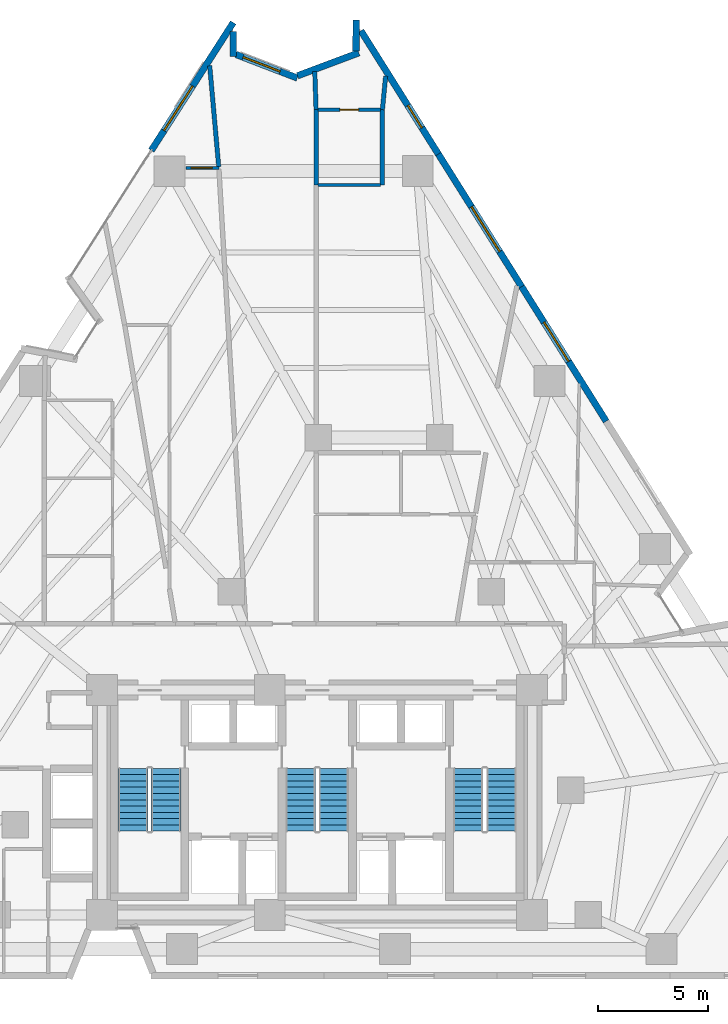
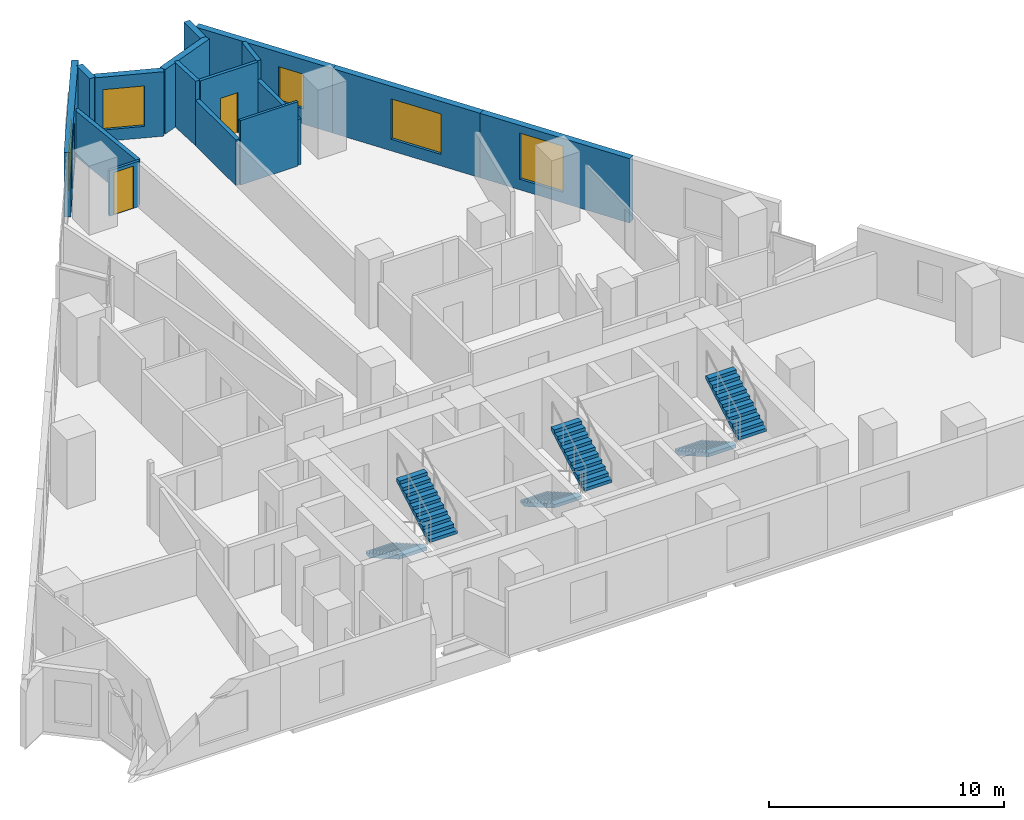
# One storey, part 10 of 12: 16 walls, 6 stair flights, 5 windows, 2 doors, 7 openings, 3 elements without a shape of their own.
"""IFC4 building model written with IfcOpenShell, lengths in metres."""

from ifc_helpers import new_model, si_unit, direction, frame, frame_2d, origin, place, context, subcontext, project, spatial, polyline, rectangle, outline, extrude, material, layer, layer_set, type_object, element, fill, aggregate, save


model = new_model("IFC4")

# Units and contexts
model_context = context("Model", 3, precision=1e-05, world=origin(), true_north=direction((0.0, 1.0)))
body_context = subcontext(model_context, "Body", "Model", "MODEL_VIEW")
ifc_project = project(units=[si_unit("LENGTHUNIT", "METRE"), si_unit("AREAUNIT", "SQUARE_METRE"), si_unit("VOLUMEUNIT", "CUBIC_METRE"), si_unit("PLANEANGLEUNIT", "RADIAN"), si_unit("MASSUNIT", "GRAM", prefix="KILO")], contexts=[model_context])

# Site, building, storey
site_placement = place(None, origin())
site = spatial("IfcSite", under=ifc_project, at=site_placement, CompositionType="ELEMENT")
building_placement = place(site_placement, origin())
building = spatial("IfcBuilding", under=site, at=building_placement, Name="Almagre Mirador Tower", CompositionType="ELEMENT")
storey_placement = place(building_placement, frame((0.0, 0.0, 64.199951171875)))
storey = spatial("IfcBuildingStorey", under=building, at=storey_placement, Name="L15", CompositionType="ELEMENT", Elevation=64.199951171875)

# Wall, opening, window
ifc_material_1 = material(Name="Precast concrete C50/60", Category="concrete")
ifc_layer_1 = layer(ifc_material_1, 0.300048828125)
ifc_layer_set_1 = layer_set([ifc_layer_1], Name="Precast concrete C50/60")
wall_type_1 = type_object("IfcWallType", Name="WAL-EXT-300", PredefinedType="SOLIDWALL", material=ifc_layer_set_1)
wall_1_placement = place(storey_placement, frame((29.77587890625, 39.218505859375, 0.0), z_axis=(0.0, 0.0, 1.0), x_axis=(0.539570203146, 0.841940613035, 0.0)))
wall_1 = element("IfcWall", 1, at=wall_1_placement, inside=storey, type_object=wall_type_1, Name="L15 expressed almagre precast frame wall 03", PredefinedType="SOLIDWALL", context=body_context, shape_type="SweptSolid", body=[
    extrude(rectangle(XDim=6.89306640625, YDim=0.300048828125, at=frame_2d((3.446533203125, 0.0))), origin(), (0.0, 0.0, 1.0), 3.35009765625),
])
opening_1_placement = place(wall_1_placement, frame((1.074951171875, 0.0, 0.60009765625)))
opening_1 = element("IfcOpeningElement", 2, at=opening_1_placement, cuts=wall_1, Name="Opening WN-02", PredefinedType="OPENING", context=body_context, shape_type="SweptSolid", body=[
    extrude(rectangle(XDim=2.39990234375, YDim=2.10009765625, at=frame_2d((1.199951171875, 1.050048828125))), frame((0.0, 0.159902, 0.0), z_axis=(0.0, -1.0, 0.0), x_axis=(1.0, 0.0, 0.0)), (0.0, 0.0, 1.0), 0.320049),
])
ifc_material_2 = material(Name="Dark solar-control laminated hurricane glass", Category="glass")
window_type_1 = type_object("IfcWindowType", Name="WIN-2400X2100", PartitioningType="TRIPLE_PANEL_VERTICAL", PredefinedType="WINDOW", material=ifc_material_2)
window_1_placement = place(opening_1_placement, origin())
window_1 = element("IfcWindow", 3, at=window_1_placement, inside=storey, type_object=window_type_1, Name="L15 recessed hurricane window L15-UK-KT", OverallHeight=2.10009765625, OverallWidth=2.39990234375, PartitioningType="SINGLE_PANEL", PredefinedType="WINDOW", context=body_context, shape_type="SweptSolid", body=[
    extrude(rectangle(XDim=2.39990234375, YDim=2.10009765625, at=frame_2d((1.199951171875, 1.050048828125))), frame((0.0, 0.030029296875, 0.0), z_axis=(0.0, -1.0, 0.0), x_axis=(1.0, 0.0, 0.0)), (0.0, 0.0, 1.0), 0.06005859375),
])
fill(opening_1, window_1)

# Wall
wall_2_placement = place(storey_placement, frame((33.492919921875, 44.60693359375, 0.0), z_axis=(0.0, 0.0, 1.0), x_axis=(-0.00501410745, -0.999987429284, 0.0)))
element("IfcWall", 4, at=wall_2_placement, inside=storey, type_object=wall_type_1, Name="L15 expressed almagre precast frame wall 04", PredefinedType="SOLIDWALL", context=body_context, shape_type="SweptSolid", body=[
    extrude(rectangle(XDim=1.119873046875, YDim=0.300048828125, at=frame_2d((0.56005859375, 0.0))), origin(), (0.0, 0.0, 1.0), 3.35009765625),
])

# Wall, opening, window
wall_3_placement = place(storey_placement, frame((33.614013671875, 43.57861328125, 0.0), z_axis=(0.0, 0.0, 1.0), x_axis=(0.933166321884, -0.359444871576, 0.0)))
wall_3 = element("IfcWall", 5, at=wall_3_placement, inside=storey, type_object=wall_type_1, Name="L15 expressed almagre precast frame wall 05", PredefinedType="SOLIDWALL", context=body_context, shape_type="SweptSolid", body=[
    extrude(rectangle(XDim=2.985107421875, YDim=0.300048828125, at=frame_2d((1.49267578125, 0.0))), origin(), (0.0, 0.0, 1.0), 3.35009765625),
])
opening_2_placement = place(wall_3_placement, frame((0.35009765625, 0.0, 0.60009765625)))
opening_2 = element("IfcOpeningElement", 6, at=opening_2_placement, cuts=wall_3, Name="Opening WN-01", PredefinedType="OPENING", context=body_context, shape_type="SweptSolid", body=[
    extrude(rectangle(XDim=1.800048828125, YDim=2.10009765625, at=frame_2d((0.89990234375, 1.050048828125))), frame((0.0, 0.159902, 0.0), z_axis=(0.0, -1.0, 0.0), x_axis=(1.0, 0.0, 0.0)), (0.0, 0.0, 1.0), 0.320049),
])
ifc_material_3 = material(Name="Dark solar-control laminated hurricane glass", Category="glass")
window_type_2 = type_object("IfcWindowType", Name="WIN-1800X2100", PartitioningType="DOUBLE_PANEL_VERTICAL", PredefinedType="WINDOW", material=ifc_material_3)
window_2_placement = place(opening_2_placement, origin())
window_2 = element("IfcWindow", 7, at=window_2_placement, inside=storey, type_object=window_type_2, Name="L15 recessed hurricane window L15-RST-L", OverallHeight=2.10009765625, OverallWidth=1.800048828125, PartitioningType="SINGLE_PANEL", PredefinedType="WINDOW", context=body_context, shape_type="SweptSolid", body=[
    extrude(rectangle(XDim=1.800048828125, YDim=2.10009765625, at=frame_2d((0.89990234375, 1.050048828125))), frame((0.0, 0.030029296875, 0.0), z_axis=(0.0, -1.0, 0.0), x_axis=(1.0, 0.0, 0.0)), (0.0, 0.0, 1.0), 0.06005859375),
])
fill(opening_2, window_2)

# Walls
wall_4_placement = place(storey_placement, frame((36.409423828125, 42.608642578125, 0.0), z_axis=(0.0, 0.0, 1.0), x_axis=(0.936403459864, 0.350925291699, 0.0)))
element("IfcWall", 8, at=wall_4_placement, inside=storey, type_object=wall_type_1, Name="L15 expressed almagre precast frame wall 06", PredefinedType="SOLIDWALL", context=body_context, shape_type="SweptSolid", body=[
    extrude(rectangle(XDim=2.970703125, YDim=0.300048828125, at=frame_2d((1.4853515625, 0.0))), origin(), (0.0, 0.0, 1.0), 3.35009765625),
])
wall_5_placement = place(storey_placement, frame((39.060546875, 43.737060546875, 0.0), z_axis=(0.0, 0.0, 1.0), x_axis=(0.004359916705, 0.999990495518, 0.0)))
element("IfcWall", 9, at=wall_5_placement, inside=storey, type_object=wall_type_1, Name="L15 expressed almagre precast frame wall 07", PredefinedType="SOLIDWALL", context=body_context, shape_type="SweptSolid", body=[
    extrude(rectangle(XDim=1.39990234375, YDim=0.300048828125, at=frame_2d((0.699951171875, 0.0))), origin(), (0.0, 0.0, 1.0), 3.35009765625),
])

# Wall, opening, window
wall_6_placement = place(storey_placement, frame((39.283935546875, 44.64990234375, 0.0), z_axis=(0.0, 0.0, 1.0), x_axis=(0.531931524323, -0.846787372031, 0.0)))
wall_6 = element("IfcWall", 10, at=wall_6_placement, inside=storey, type_object=wall_type_1, Name="L15 expressed almagre precast frame wall 08", PredefinedType="SOLIDWALL", context=body_context, shape_type="SweptSolid", body=[
    extrude(rectangle(XDim=6.60400390625, YDim=0.300048828125, at=frame_2d((3.302001953125, 0.0))), origin(), (0.0, 0.0, 1.0), 3.35009765625),
])
opening_3_placement = place(wall_6_placement, frame((4.0, 0.0, 0.800048828125)))
opening_3 = element("IfcOpeningElement", 11, at=opening_3_placement, cuts=wall_6, Name="Opening WN-04", PredefinedType="OPENING", context=body_context, shape_type="SweptSolid", body=[
    extrude(rectangle(XDim=1.199951171875, YDim=1.800048828125, at=frame_2d((0.60009765625, 0.89990234375))), frame((0.0, 0.159902, 0.0), z_axis=(0.0, -1.0, 0.0), x_axis=(1.0, 0.0, 0.0)), (0.0, 0.0, 1.0), 0.320049),
])
ifc_material_4 = material(Name="Dark solar-control laminated hurricane glass", Category="glass")
window_type_3 = type_object("IfcWindowType", Name="WIN-1200X1800", PartitioningType="SINGLE_PANEL", PredefinedType="WINDOW", material=ifc_material_4)
window_3_placement = place(opening_3_placement, origin())
window_3 = element("IfcWindow", 12, at=window_3_placement, inside=storey, type_object=window_type_3, Name="L15 recessed hurricane window L15-UM-LV", OverallHeight=1.800048828125, OverallWidth=1.199951171875, PartitioningType="SINGLE_PANEL", PredefinedType="WINDOW", context=body_context, shape_type="SweptSolid", body=[
    extrude(rectangle(XDim=1.199951171875, YDim=1.800048828125, at=frame_2d((0.60009765625, 0.89990234375))), frame((0.0, 0.030029296875, 0.0), z_axis=(0.0, -1.0, 0.0), x_axis=(1.0, 0.0, 0.0)), (0.0, 0.0, 1.0), 0.06005859375),
])
fill(opening_3, window_3)

wall_7_placement = place(storey_placement, frame((42.796875, 39.0576171875, 0.0), z_axis=(0.0, 0.0, 1.0), x_axis=(0.531893353762, -0.846811348663, 0.0)))
wall_7 = element("IfcWall", 13, at=wall_7_placement, inside=storey, type_object=wall_type_1, Name="L15 expressed almagre precast frame wall 09", PredefinedType="SOLIDWALL", context=body_context, shape_type="SweptSolid", body=[
    extrude(rectangle(XDim=7.154052734375, YDim=0.300048828125, at=frame_2d((3.5771484375, 0.0))), origin(), (0.0, 0.0, 1.0), 3.35009765625),
])
opening_4_placement = place(wall_7_placement, frame((2.824951171875, 0.0, 0.60009765625)))
opening_4 = element("IfcOpeningElement", 14, at=opening_4_placement, cuts=wall_7, Name="Opening WN-02", PredefinedType="OPENING", context=body_context, shape_type="SweptSolid", body=[
    extrude(rectangle(XDim=2.39990234375, YDim=2.10009765625, at=frame_2d((1.199951171875, 1.050048828125))), frame((0.0, 0.159902, 0.0), z_axis=(0.0, -1.0, 0.0), x_axis=(1.0, 0.0, 0.0)), (0.0, 0.0, 1.0), 0.320049),
])
window_4_placement = place(opening_4_placement, origin())
window_4 = element("IfcWindow", 15, at=window_4_placement, inside=storey, type_object=window_type_1, Name="L15 recessed hurricane window L15-UM-KT", OverallHeight=2.10009765625, OverallWidth=2.39990234375, PartitioningType="SINGLE_PANEL", PredefinedType="WINDOW", context=body_context, shape_type="SweptSolid", body=[
    extrude(rectangle(XDim=2.39990234375, YDim=2.10009765625, at=frame_2d((1.199951171875, 1.050048828125))), frame((0.0, 0.030029296875, 0.0), z_axis=(0.0, -1.0, 0.0), x_axis=(1.0, 0.0, 0.0)), (0.0, 0.0, 1.0), 0.06005859375),
])
fill(opening_4, window_4)

wall_8_placement = place(storey_placement, frame((46.57373046875, 33.04443359375, 0.0), z_axis=(0.0, 0.0, 1.0), x_axis=(0.531903730452, -0.846804830839, 0.0)))
wall_8 = element("IfcWall", 16, at=wall_8_placement, inside=storey, type_object=wall_type_1, Name="L15 expressed almagre precast frame wall 10", PredefinedType="SOLIDWALL", context=body_context, shape_type="SweptSolid", body=[
    extrude(rectangle(XDim=7.20703125, YDim=0.300048828125, at=frame_2d((3.603515625, 0.0))), origin(), (0.0, 0.0, 1.0), 3.35009765625),
])
opening_5_placement = place(wall_8_placement, frame((1.903076171875, 0.0, 0.550048828125)))
opening_5 = element("IfcOpeningElement", 17, at=opening_5_placement, cuts=wall_8, Name="Opening WN-05", PredefinedType="OPENING", context=body_context, shape_type="SweptSolid", body=[
    extrude(rectangle(XDim=2.10009765625, YDim=2.39990234375, at=frame_2d((1.050048828125, 1.199951171875))), frame((0.0, 0.159902, 0.0), z_axis=(0.0, -1.0, 0.0), x_axis=(1.0, 0.0, 0.0)), (0.0, 0.0, 1.0), 0.320049),
])
ifc_material_5 = material(Name="Dark solar-control laminated hurricane glass", Category="glass")
window_type_4 = type_object("IfcWindowType", Name="WIN-2100X2400", PartitioningType="DOUBLE_PANEL_VERTICAL", PredefinedType="WINDOW", material=ifc_material_5)
window_5_placement = place(opening_5_placement, origin())
window_5 = element("IfcWindow", 18, at=window_5_placement, inside=storey, type_object=window_type_4, Name="L15 recessed hurricane window L15-UJ-SL1", OverallHeight=2.39990234375, OverallWidth=2.10009765625, PartitioningType="SINGLE_PANEL", PredefinedType="WINDOW", context=body_context, shape_type="SweptSolid", body=[
    extrude(rectangle(XDim=2.10009765625, YDim=2.39990234375, at=frame_2d((1.050048828125, 1.199951171875))), frame((0.0, 0.030029296875, 0.0), z_axis=(0.0, -1.0, 0.0), x_axis=(1.0, 0.0, 0.0)), (0.0, 0.0, 1.0), 0.06005859375),
])
fill(opening_5, window_5)

# Wall, opening, door
ifc_material_6 = material(Name="Gypsum acoustic stud partition", Category="other")
ifc_layer_2 = layer(ifc_material_6, 0.125)
ifc_layer_set_2 = layer_set([ifc_layer_2], Name="Gypsum acoustic stud partition")
wall_type_2 = type_object("IfcWallType", Name="WAL-PRT-125-UTL", PredefinedType="PARTITIONING", material=ifc_layer_set_2)
wall_9_placement = place(storey_placement, frame((32.840087890625, 38.429931640625, 0.0), z_axis=(0.0, 0.0, 1.0), x_axis=(-1.0, 0.0, 0.0)))
wall_9 = element("IfcWall", 19, at=wall_9_placement, inside=storey, type_object=wall_type_2, Name="L15 interior partition 072", PredefinedType="PARTITIONING", context=body_context, shape_type="SweptSolid", body=[
    extrude(rectangle(XDim=1.47998046875, YDim=0.125, at=frame_2d((0.739990234375, 0.0))), origin(), (0.0, 0.0, 1.0), 2.3701171875),
])
opening_6_placement = place(wall_9_placement, frame((0.306640625, 0.0, 0.0)))
opening_6 = element("IfcOpeningElement", 20, at=opening_6_placement, cuts=wall_9, Name="Opening UD-01", PredefinedType="OPENING", context=body_context, shape_type="SweptSolid", body=[
    extrude(rectangle(XDim=0.949951171875, YDim=2.199951171875, at=frame_2d((0.47509765625, 1.10009765625))), frame((0.0, 0.0725, 0.0), z_axis=(0.0, -1.0, 0.0), x_axis=(1.0, 0.0, 0.0)), (0.0, 0.0, 1.0), 0.145),
])
ifc_material_7 = material(Name="Solid American walnut timber", Category="wood")
door_type_1 = type_object("IfcDoorType", Name="DOR-UNR-950X2200", OperationType="NOTDEFINED", PredefinedType="DOOR", material=ifc_material_7)
door_1_placement = place(opening_6_placement, origin())
door_1 = element("IfcDoor", 21, at=door_1_placement, inside=storey, type_object=door_type_1, Name="DR-0517 L15 interior door L15-UK-LV to L15-UK-KT", OperationType="SINGLE_SWING_LEFT", OverallHeight=2.199951171875, OverallWidth=0.949951171875, PredefinedType="DOOR", context=body_context, shape_type="SweptSolid", body=[
    extrude(rectangle(XDim=0.949951171875, YDim=2.199951171875, at=frame_2d((0.47509765625, 1.10009765625))), frame((0.0, 0.02490234375, 0.0), z_axis=(0.0, -1.0, 0.0), x_axis=(1.0, 0.0, 0.0)), (0.0, 0.0, 1.0), 0.050048828125),
])
fill(opening_6, door_1)

# Wall
wall_10_placement = place(storey_placement, frame((40.175048828125, 37.64990234375, 0.0), z_axis=(0.0, 0.0, 1.0), x_axis=(-1.0, 0.0, 0.0)))
element("IfcWall", 22, at=wall_10_placement, inside=storey, type_object=wall_type_2, Name="L15 interior partition 089", PredefinedType="PARTITIONING", context=body_context, shape_type="SweptSolid", body=[
    extrude(rectangle(XDim=2.840087890625, YDim=0.125, at=frame_2d((1.419921875, 0.0))), origin(), (0.0, 0.0, 1.0), 3.35009765625),
])

# Wall, opening, door
ifc_material_8 = material(Name="Gypsum acoustic stud partition", Category="other")
ifc_layer_3 = layer(ifc_material_8, 0.14990234375)
ifc_layer_set_3 = layer_set([ifc_layer_3], Name="Gypsum acoustic stud partition")
wall_type_3 = type_object("IfcWallType", Name="WAL-PRT-150-STD", PredefinedType="PARTITIONING", material=ifc_layer_set_3)
wall_11_placement = place(storey_placement, frame((40.175048828125, 41.070068359375, 0.0), z_axis=(0.0, 0.0, 1.0), x_axis=(-1.0, 0.0, 0.0)))
wall_11 = element("IfcWall", 23, at=wall_11_placement, inside=storey, type_object=wall_type_3, Name="L15 interior partition 090", PredefinedType="PARTITIONING", context=body_context, shape_type="SweptSolid", body=[
    extrude(rectangle(XDim=2.840087890625, YDim=0.14990234375, at=frame_2d((1.419921875, 0.0))), origin(), (0.0, 0.0, 1.0), 3.35009765625),
])
opening_7_placement = place(wall_11_placement, frame((0.9951171875, 0.0, 0.0)))
opening_7 = element("IfcOpeningElement", 24, at=opening_7_placement, cuts=wall_11, Name="Opening UD-04", PredefinedType="OPENING", context=body_context, shape_type="SweptSolid", body=[
    extrude(rectangle(XDim=0.85009765625, YDim=2.10009765625, at=frame_2d((0.425048828125, 1.050048828125))), frame((0.0, 0.084951, 0.0), z_axis=(0.0, -1.0, 0.0), x_axis=(1.0, 0.0, 0.0)), (0.0, 0.0, 1.0), 0.169902),
])
ifc_material_9 = material(Name="Moisture-resistant oak timber", Category="wood")
door_type_2 = type_object("IfcDoorType", Name="DOR-UNR-850X2100", OperationType="NOTDEFINED", PredefinedType="DOOR", material=ifc_material_9)
door_2_placement = place(opening_7_placement, origin())
door_2 = element("IfcDoor", 25, at=door_2_placement, inside=storey, type_object=door_type_2, Name="DR-0519 L15 interior door L15-UN-KT to L15-UN-BT", OperationType="SINGLE_SWING_LEFT", OverallHeight=2.10009765625, OverallWidth=0.85009765625, PredefinedType="DOOR", context=body_context, shape_type="SweptSolid", body=[
    extrude(rectangle(XDim=0.85009765625, YDim=2.10009765625, at=frame_2d((0.425048828125, 1.050048828125))), frame((0.0, 0.02490234375, 0.0), z_axis=(0.0, -1.0, 0.0), x_axis=(1.0, 0.0, 0.0)), (0.0, 0.0, 1.0), 0.050048828125),
])
fill(opening_7, door_2)

# Walls
ifc_material_10 = material(Name="Gypsum acoustic stud partition", Category="other")
ifc_layer_4 = layer(ifc_material_10, 0.199951171875)
ifc_layer_set_4 = layer_set([ifc_layer_4], Name="Gypsum acoustic stud partition")
wall_type_4 = type_object("IfcWallType", Name="WAL-PRT-200-EI60", PredefinedType="PARTITIONING", material=ifc_layer_set_4)
wall_12_placement = place(storey_placement, frame((32.836181640625, 38.477294921875, 0.0), z_axis=(0.0, 0.0, 1.0), x_axis=(-0.08906812694, 0.9960255362, 0.0)))
element("IfcWall", 26, at=wall_12_placement, inside=storey, type_object=wall_type_4, Name="L15 interior partition 076", PredefinedType="PARTITIONING", context=body_context, shape_type="SweptSolid", body=[
    extrude(rectangle(XDim=4.60498046875, YDim=0.199951171875, at=frame_2d((2.302490234375, 0.0))), origin(), (0.0, 0.0, 1.0), 2.3701171875),
])
wall_13_placement = place(storey_placement, frame((37.25, 37.64990234375, 0.0), z_axis=(0.0, 0.0, 1.0), x_axis=(0.0, 1.0, 0.0)))
element("IfcWall", 27, at=wall_13_placement, inside=storey, type_object=wall_type_4, Name="L15 interior partition 078", PredefinedType="PARTITIONING", context=body_context, shape_type="SweptSolid", body=[
    extrude(rectangle(XDim=3.420166015625, YDim=0.199951171875, at=frame_2d((1.7099609375, 0.0))), origin(), (0.0, 0.0, 1.0), 2.3701171875),
])
wall_14_placement = place(storey_placement, frame((37.25, 41.070068359375, 0.0), z_axis=(0.0, 0.0, 1.0), x_axis=(-0.033511738673, 0.999438323946, 0.0)))
element("IfcWall", 28, at=wall_14_placement, inside=storey, type_object=wall_type_4, Name="L15 interior partition 079", PredefinedType="PARTITIONING", context=body_context, shape_type="SweptSolid", body=[
    extrude(rectangle(XDim=1.73388671875, YDim=0.199951171875, at=frame_2d((0.866943359375, 0.0))), origin(), (0.0, 0.0, 1.0), 3.35009765625),
])
wall_15_placement = place(storey_placement, frame((40.260009765625, 41.070068359375, 0.0), z_axis=(0.0, 0.0, 1.0), x_axis=(0.0, -1.0, 0.0)))
element("IfcWall", 29, at=wall_15_placement, inside=storey, type_object=wall_type_4, Name="L15 interior partition 084", PredefinedType="PARTITIONING", context=body_context, shape_type="SweptSolid", body=[
    extrude(rectangle(XDim=3.420166015625, YDim=0.199951171875, at=frame_2d((1.7099609375, 0.0))), origin(), (0.0, 0.0, 1.0), 2.3701171875),
])
wall_16_placement = place(storey_placement, frame((40.405029296875, 42.593017578125, 0.0), z_axis=(0.0, 0.0, 1.0), x_axis=(-0.094794030576, -0.99549690696, 0.0)))
element("IfcWall", 30, at=wall_16_placement, inside=storey, type_object=wall_type_4, Name="L15 interior partition 085", PredefinedType="PARTITIONING", context=body_context, shape_type="SweptSolid", body=[
    extrude(rectangle(XDim=1.52978515625, YDim=0.199951171875, at=frame_2d((0.764892578125, 0.0))), origin(), (0.0, 0.0, 1.0), 3.35009765625),
])

# Stair, stair flights
ifc_material_11 = material(Name="Concrete C45/55", Category="concrete")
stair_type = type_object("IfcStairType", Name="STR-DL-3600", PredefinedType="HALF_TURN_STAIR", material=ifc_material_11)
stair_1_placement = place(storey_placement, origin())
stair_1 = element("IfcStair", 31, at=stair_1_placement, inside=storey, type_object=stair_type, Name="L15 Protected exit stair ST-1", PredefinedType="HALF_TURN_STAIR")
ifc_material_12 = material(Name="Concrete C45/55", Category="concrete")
stair_flight_type = type_object("IfcStairFlightType", Name="FLT-DL-3600", PredefinedType="STRAIGHT", material=ifc_material_12)
stair_flight_1_placement = place(storey_placement, frame((28.949951171875, 11.199951171875, 0.0), z_axis=(0.0, 0.0, 1.0), x_axis=(0.0, -1.0, 0.0)))
stair_flight_1 = element("IfcStairFlight", 32, at=stair_flight_1_placement, type_object=stair_flight_type, Name="ST-1 flight 1", NumberOfRisers=11, NumberOfTreads=10, PredefinedType="STRAIGHT", RiserHeight=0.163636364, TreadLength=0.285, context=body_context, shape_type="SweptSolid", body=[
    extrude(outline(polyline([(0.0, 0.0), (0.0, 0.16357421875), (0.284912109375, 0.16357421875), (0.284912109375, 0.327392578125), (0.570068359375, 0.327392578125), (0.570068359375, 0.490966796875), (0.85498046875, 0.490966796875), (0.85498046875, 0.654541015625), (1.139892578125, 0.654541015625), (1.139892578125, 0.818115234375), (1.425048828125, 0.818115234375), (1.425048828125, 0.98193359375), (1.7099609375, 0.98193359375), (1.7099609375, 1.1455078125), (1.9951171875, 1.1455078125), (1.9951171875, 1.30908203125), (2.280029296875, 1.30908203125), (2.280029296875, 1.47265625), (2.56494140625, 1.47265625), (2.56494140625, 1.636474609375), (2.85009765625, 1.636474609375), (2.85009765625, 1.800048828125), (2.85009765625, 1.463623046875), (0.301025390625, 0.0), (0.0, 0.0)])), frame((0.0, 0.675048828125, 0.0), z_axis=(0.0, -1.0, 0.0), x_axis=(1.0, 0.0, 0.0)), (0.0, 0.0, 1.0), 1.35009765625),
])
stair_flight_2_placement = place(storey_placement, frame((30.449951171875, 8.35009765625, 1.800048828125), z_axis=(0.0, 0.0, 1.0), x_axis=(0.0, 1.0, 0.0)))
stair_flight_2 = element("IfcStairFlight", 33, at=stair_flight_2_placement, type_object=stair_flight_type, Name="ST-1 flight 2", NumberOfRisers=11, NumberOfTreads=10, PredefinedType="STRAIGHT", RiserHeight=0.163636364, TreadLength=0.285, context=body_context, shape_type="SweptSolid", body=[
    extrude(outline(polyline([(0.0, 0.0), (0.0, 0.16357421875), (0.284912109375, 0.16357421875), (0.284912109375, 0.327392578125), (0.570068359375, 0.327392578125), (0.570068359375, 0.490966796875), (0.85498046875, 0.490966796875), (0.85498046875, 0.654541015625), (1.139892578125, 0.654541015625), (1.139892578125, 0.818115234375), (1.425048828125, 0.818115234375), (1.425048828125, 0.98193359375), (1.7099609375, 0.98193359375), (1.7099609375, 1.1455078125), (1.9951171875, 1.1455078125), (1.9951171875, 1.30908203125), (2.280029296875, 1.30908203125), (2.280029296875, 1.47265625), (2.56494140625, 1.47265625), (2.56494140625, 1.636474609375), (2.85009765625, 1.636474609375), (2.85009765625, 1.800048828125), (2.85009765625, 1.463623046875), (0.301025390625, 0.0), (0.0, 0.0)])), frame((0.0, 0.675048828125, 0.0), z_axis=(0.0, -1.0, 0.0), x_axis=(1.0, 0.0, 0.0)), (0.0, 0.0, 1.0), 1.35009765625),
])
aggregate(stair_1, [stair_flight_1, stair_flight_2])

stair_2_placement = place(storey_placement, origin())
stair_2 = element("IfcStair", 34, at=stair_2_placement, inside=storey, type_object=stair_type, Name="L15 Protected exit stair ST-2", PredefinedType="HALF_TURN_STAIR")
stair_flight_3_placement = place(storey_placement, frame((36.550048828125, 11.199951171875, 0.0), z_axis=(0.0, 0.0, 1.0), x_axis=(0.0, -1.0, 0.0)))
stair_flight_3 = element("IfcStairFlight", 35, at=stair_flight_3_placement, type_object=stair_flight_type, Name="ST-2 flight 1", NumberOfRisers=11, NumberOfTreads=10, PredefinedType="STRAIGHT", RiserHeight=0.163636364, TreadLength=0.285, context=body_context, shape_type="SweptSolid", body=[
    extrude(outline(polyline([(0.0, 0.0), (0.0, 0.16357421875), (0.284912109375, 0.16357421875), (0.284912109375, 0.327392578125), (0.570068359375, 0.327392578125), (0.570068359375, 0.490966796875), (0.85498046875, 0.490966796875), (0.85498046875, 0.654541015625), (1.139892578125, 0.654541015625), (1.139892578125, 0.818115234375), (1.425048828125, 0.818115234375), (1.425048828125, 0.98193359375), (1.7099609375, 0.98193359375), (1.7099609375, 1.1455078125), (1.9951171875, 1.1455078125), (1.9951171875, 1.30908203125), (2.280029296875, 1.30908203125), (2.280029296875, 1.47265625), (2.56494140625, 1.47265625), (2.56494140625, 1.636474609375), (2.85009765625, 1.636474609375), (2.85009765625, 1.800048828125), (2.85009765625, 1.463623046875), (0.301025390625, 0.0), (0.0, 0.0)])), frame((0.0, 0.675048828125, 0.0), z_axis=(0.0, -1.0, 0.0), x_axis=(1.0, 0.0, 0.0)), (0.0, 0.0, 1.0), 1.35009765625),
])
stair_flight_4_placement = place(storey_placement, frame((38.050048828125, 8.35009765625, 1.800048828125), z_axis=(0.0, 0.0, 1.0), x_axis=(0.0, 1.0, 0.0)))
stair_flight_4 = element("IfcStairFlight", 36, at=stair_flight_4_placement, type_object=stair_flight_type, Name="ST-2 flight 2", NumberOfRisers=11, NumberOfTreads=10, PredefinedType="STRAIGHT", RiserHeight=0.163636364, TreadLength=0.285, context=body_context, shape_type="SweptSolid", body=[
    extrude(outline(polyline([(0.0, 0.0), (0.0, 0.16357421875), (0.284912109375, 0.16357421875), (0.284912109375, 0.327392578125), (0.570068359375, 0.327392578125), (0.570068359375, 0.490966796875), (0.85498046875, 0.490966796875), (0.85498046875, 0.654541015625), (1.139892578125, 0.654541015625), (1.139892578125, 0.818115234375), (1.425048828125, 0.818115234375), (1.425048828125, 0.98193359375), (1.7099609375, 0.98193359375), (1.7099609375, 1.1455078125), (1.9951171875, 1.1455078125), (1.9951171875, 1.30908203125), (2.280029296875, 1.30908203125), (2.280029296875, 1.47265625), (2.56494140625, 1.47265625), (2.56494140625, 1.636474609375), (2.85009765625, 1.636474609375), (2.85009765625, 1.800048828125), (2.85009765625, 1.463623046875), (0.301025390625, 0.0), (0.0, 0.0)])), frame((0.0, 0.675048828125, 0.0), z_axis=(0.0, -1.0, 0.0), x_axis=(1.0, 0.0, 0.0)), (0.0, 0.0, 1.0), 1.35009765625),
])
aggregate(stair_2, [stair_flight_3, stair_flight_4])

stair_3_placement = place(storey_placement, origin())
stair_3 = element("IfcStair", 37, at=stair_3_placement, inside=storey, type_object=stair_type, Name="L15 Protected exit stair ST-3", PredefinedType="HALF_TURN_STAIR")
stair_flight_5_placement = place(storey_placement, frame((44.14990234375, 11.199951171875, 0.0), z_axis=(0.0, 0.0, 1.0), x_axis=(0.0, -1.0, 0.0)))
stair_flight_5 = element("IfcStairFlight", 38, at=stair_flight_5_placement, type_object=stair_flight_type, Name="ST-3 flight 1", NumberOfRisers=11, NumberOfTreads=10, PredefinedType="STRAIGHT", RiserHeight=0.163636364, TreadLength=0.285, context=body_context, shape_type="SweptSolid", body=[
    extrude(outline(polyline([(0.0, 0.0), (0.0, 0.16357421875), (0.284912109375, 0.16357421875), (0.284912109375, 0.327392578125), (0.570068359375, 0.327392578125), (0.570068359375, 0.490966796875), (0.85498046875, 0.490966796875), (0.85498046875, 0.654541015625), (1.139892578125, 0.654541015625), (1.139892578125, 0.818115234375), (1.425048828125, 0.818115234375), (1.425048828125, 0.98193359375), (1.7099609375, 0.98193359375), (1.7099609375, 1.1455078125), (1.9951171875, 1.1455078125), (1.9951171875, 1.30908203125), (2.280029296875, 1.30908203125), (2.280029296875, 1.47265625), (2.56494140625, 1.47265625), (2.56494140625, 1.636474609375), (2.85009765625, 1.636474609375), (2.85009765625, 1.800048828125), (2.85009765625, 1.463623046875), (0.301025390625, 0.0), (0.0, 0.0)])), frame((0.0, 0.675048828125, 0.0), z_axis=(0.0, -1.0, 0.0), x_axis=(1.0, 0.0, 0.0)), (0.0, 0.0, 1.0), 1.35009765625),
])
stair_flight_6_placement = place(storey_placement, frame((45.64990234375, 8.35009765625, 1.800048828125), z_axis=(0.0, 0.0, 1.0), x_axis=(0.0, 1.0, 0.0)))
stair_flight_6 = element("IfcStairFlight", 39, at=stair_flight_6_placement, type_object=stair_flight_type, Name="ST-3 flight 2", NumberOfRisers=11, NumberOfTreads=10, PredefinedType="STRAIGHT", RiserHeight=0.163636364, TreadLength=0.285, context=body_context, shape_type="SweptSolid", body=[
    extrude(outline(polyline([(0.0, 0.0), (0.0, 0.16357421875), (0.284912109375, 0.16357421875), (0.284912109375, 0.327392578125), (0.570068359375, 0.327392578125), (0.570068359375, 0.490966796875), (0.85498046875, 0.490966796875), (0.85498046875, 0.654541015625), (1.139892578125, 0.654541015625), (1.139892578125, 0.818115234375), (1.425048828125, 0.818115234375), (1.425048828125, 0.98193359375), (1.7099609375, 0.98193359375), (1.7099609375, 1.1455078125), (1.9951171875, 1.1455078125), (1.9951171875, 1.30908203125), (2.280029296875, 1.30908203125), (2.280029296875, 1.47265625), (2.56494140625, 1.47265625), (2.56494140625, 1.636474609375), (2.85009765625, 1.636474609375), (2.85009765625, 1.800048828125), (2.85009765625, 1.463623046875), (0.301025390625, 0.0), (0.0, 0.0)])), frame((0.0, 0.675048828125, 0.0), z_axis=(0.0, -1.0, 0.0), x_axis=(1.0, 0.0, 0.0)), (0.0, 0.0, 1.0), 1.35009765625),
])
aggregate(stair_3, [stair_flight_5, stair_flight_6])

save(model, "model.ifc")
